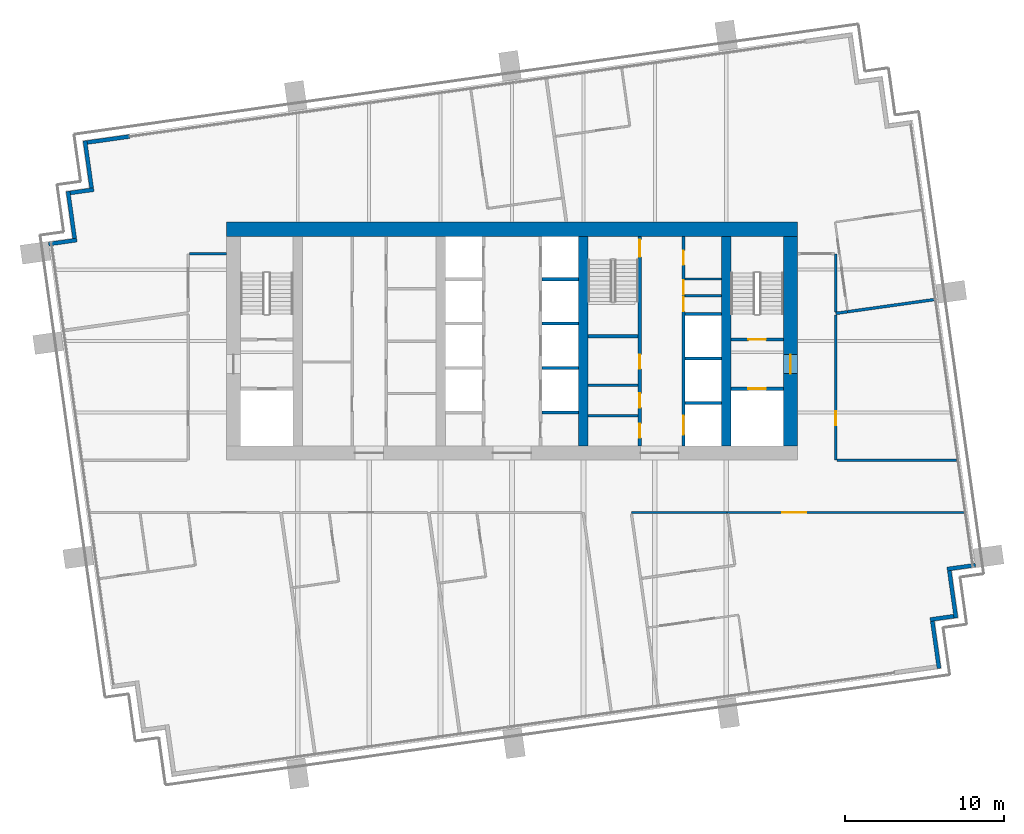
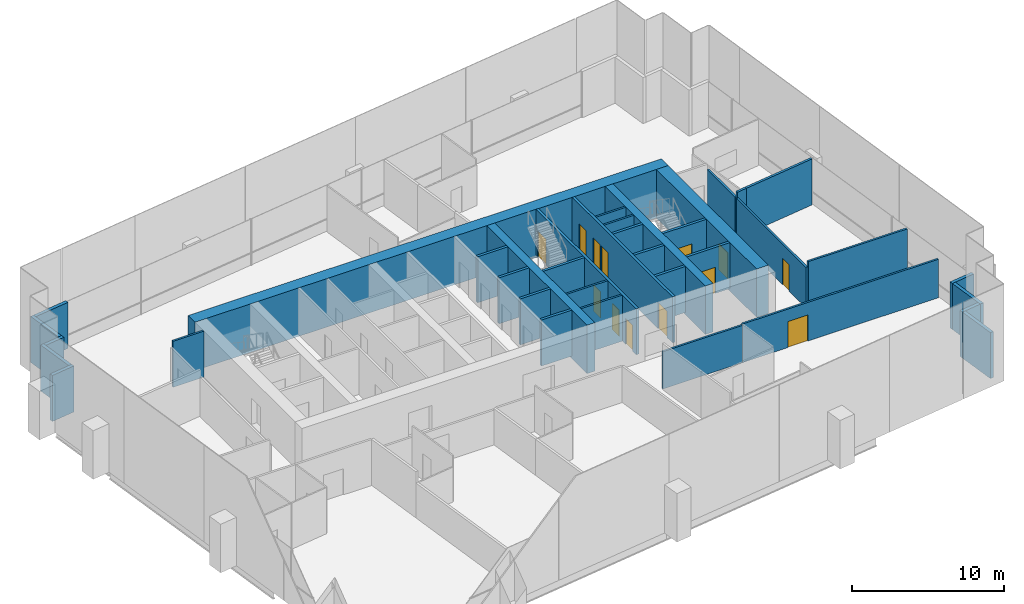
# One storey, part 11 of 17: 37 walls, 13 doors, 13 openings.
"""IFC4 building model written with IfcOpenShell, lengths in metres."""

from ifc_helpers import new_model, si_unit, direction, frame, frame_2d, origin, place, context, subcontext, project, spatial, rectangle, extrude, material, layer, layer_set, type_object, element, fill, save


model = new_model("IFC4")

# Units and contexts
model_context = context("Model", 3, precision=1e-05, world=origin(), true_north=direction((0.0, 1.0)))
body_context = subcontext(model_context, "Body", "Model", "MODEL_VIEW")
ifc_project = project(units=[si_unit("LENGTHUNIT", "METRE"), si_unit("AREAUNIT", "SQUARE_METRE"), si_unit("VOLUMEUNIT", "CUBIC_METRE"), si_unit("PLANEANGLEUNIT", "RADIAN"), si_unit("MASSUNIT", "GRAM", prefix="KILO")], contexts=[model_context])

# Site, building, storey
site_placement = place(None, origin())
site = spatial("IfcSite", under=ifc_project, at=site_placement, CompositionType="ELEMENT")
building_placement = place(site_placement, origin())
building = spatial("IfcBuilding", under=site, at=building_placement, Name="Rattan Terrace Tower", CompositionType="ELEMENT")
storey_placement = place(building_placement, frame((0.0, 0.0, 191.89990234375)))
storey = spatial("IfcBuildingStorey", under=building, at=storey_placement, Name="L44", CompositionType="ELEMENT", Elevation=191.89990234375)

# Walls
ifc_material_1 = material(Name="Gypsum board partition")
ifc_layer_1 = layer(ifc_material_1, 0.14990234375)
ifc_layer_set_1 = layer_set([ifc_layer_1], Name="Core partition 150")
wall_type_1 = type_object("IfcWallType", Name="Core partition 150", PredefinedType="PARTITIONING", material=ifc_layer_set_1)
for number, where, z_axis, x_axis, name in (
    (1, (4.800048828125, -4.696044921875, 0.0), (0.0, 0.0, 1.0), (1.0, 0.0, 0.0), "Toilet wall"),
    (2, (4.800048828125, -2.7919921875, 0.0), (0.0, 0.0, 1.0), (1.0, 0.0, 0.0), "Toilet wall"),
):
    element("IfcWall", number, at=place(storey_placement, frame(where, z_axis=z_axis, x_axis=x_axis)), inside=storey, type_object=wall_type_1, Name=name, PredefinedType="PARTITIONING", context=body_context, shape_type="SweptSolid", body=[
        extrude(rectangle(XDim=3.14990234375, YDim=0.14990234375, at=frame_2d((1.574951171875, 0.0))), origin(), (0.0, 0.0, 1.0), 3.7001953125),
    ])
for number, where, z_axis, x_axis, name in (
    (3, (10.89990234375, 2.85595703125, 0.0), (0.0, 0.0, 1.0), (1.0, 0.0, 0.0), "Riser room wall"),
    (4, (10.89990234375, 3.912109375, 0.0), (0.0, 0.0, 1.0), (1.0, 0.0, 0.0), "Riser room wall"),
):
    element("IfcWall", number, at=place(storey_placement, frame(where, z_axis=z_axis, x_axis=x_axis)), inside=storey, type_object=wall_type_1, Name=name, PredefinedType="PARTITIONING", context=body_context, shape_type="SweptSolid", body=[
        extrude(rectangle(XDim=2.300048828125, YDim=0.14990234375, at=frame_2d((1.14990234375, 0.0))), origin(), (0.0, 0.0, 1.0), 3.7001953125),
    ])

# Wall, opening, door
ifc_material_2 = material(Name="Gypsum board partition")
ifc_layer_2 = layer(ifc_material_2, 0.199951171875)
ifc_layer_set_2 = layer_set([ifc_layer_2], Name="Core partition 200")
wall_type_2 = type_object("IfcWallType", Name="Core partition 200", PredefinedType="PARTITIONING", material=ifc_layer_set_2)
wall_1_placement = place(storey_placement, frame((13.800048828125, -3.0, 0.0), z_axis=(0.0, 0.0, 1.0), x_axis=(1.0, 0.0, 0.0)))
wall_1 = element("IfcWall", 5, at=wall_1_placement, inside=storey, type_object=wall_type_2, Name="Fire-fighting lobby wall", PredefinedType="PARTITIONING", context=body_context, shape_type="SweptSolid", body=[
    extrude(rectangle(XDim=3.300048828125, YDim=0.199951171875, at=frame_2d((1.64990234375, 0.0))), origin(), (0.0, 0.0, 1.0), 3.7001953125),
])
opening_1_placement = place(wall_1_placement, frame((1.10009765625, 0.0, 0.0)))
opening_1 = element("IfcOpeningElement", 6, at=opening_1_placement, cuts=wall_1, Name="Opening L44-LD-FF2", PredefinedType="OPENING", context=body_context, shape_type="SweptSolid", body=[
    extrude(rectangle(XDim=1.10009765625, YDim=2.10009765625, at=frame_2d((0.550048828125, 1.050048828125))), frame((0.0, 0.110595703125, 0.0), z_axis=(0.0, -1.0, 0.0), x_axis=(1.0, 0.0, 0.0)), (0.0, 0.0, 1.0), 0.220947265625),
])
ifc_material_3 = material(Name="Brushed stainless landing door panel")
door_type_1 = type_object("IfcDoorType", Name="Core lift landing door 1100", OperationType="DOUBLE_DOOR_SLIDING", PredefinedType="DOOR", material=ifc_material_3)
door_1_placement = place(opening_1_placement, origin())
door_1 = element("IfcDoor", 7, at=door_1_placement, inside=storey, type_object=door_type_1, Name="Door L44-LD-FF2", OperationType="DOUBLE_DOOR_SLIDING", OverallHeight=2.10009765625, OverallWidth=1.10009765625, PredefinedType="DOOR", context=body_context, shape_type="SweptSolid", body=[
    extrude(rectangle(XDim=1.10009765625, YDim=2.10009765625, at=frame_2d((0.550048828125, 1.050048828125))), frame((0.0, 0.02490234375, 0.0), z_axis=(0.0, -1.0, 0.0), x_axis=(1.0, 0.0, 0.0)), (0.0, 0.0, 1.0), 0.050048828125),
])
fill(opening_1, door_1)

wall_2_placement = place(storey_placement, frame((13.800048828125, 0.10009765625, 0.0), z_axis=(0.0, 0.0, 1.0), x_axis=(1.0, 0.0, 0.0)))
wall_2 = element("IfcWall", 8, at=wall_2_placement, inside=storey, type_object=wall_type_2, Name="Stair enclosure wall", PredefinedType="PARTITIONING", context=body_context, shape_type="SweptSolid", body=[
    extrude(rectangle(XDim=3.300048828125, YDim=0.199951171875, at=frame_2d((1.64990234375, 0.0))), origin(), (0.0, 0.0, 1.0), 3.7001953125),
])
opening_2_placement = place(wall_2_placement, frame((1.10009765625, 0.0, 0.0)))
opening_2 = element("IfcOpeningElement", 9, at=opening_2_placement, cuts=wall_2, Name="Opening L44-D004", PredefinedType="OPENING", context=body_context, shape_type="SweptSolid", body=[
    extrude(rectangle(XDim=1.10009765625, YDim=2.10009765625, at=frame_2d((0.550048828125, 1.050048828125))), frame((0.0, 0.110595703125, 0.0), z_axis=(0.0, -1.0, 0.0), x_axis=(1.0, 0.0, 0.0)), (0.0, 0.0, 1.0), 0.220947265625),
])
ifc_material_4 = material(Name="Hollow-metal fire door leaf")
door_type_2 = type_object("IfcDoorType", Name="Core stair door 1100", OperationType="NOTDEFINED", PredefinedType="DOOR", material=ifc_material_4)
door_2_placement = place(opening_2_placement, origin())
door_2 = element("IfcDoor", 10, at=door_2_placement, inside=storey, type_object=door_type_2, Name="Door L44-D004", OperationType="SINGLE_SWING_RIGHT", OverallHeight=2.10009765625, OverallWidth=1.10009765625, PredefinedType="DOOR", context=body_context, shape_type="SweptSolid", body=[
    extrude(rectangle(XDim=1.10009765625, YDim=2.10009765625, at=frame_2d((0.550048828125, 1.050048828125))), frame((0.0, 0.02490234375, 0.0), z_axis=(0.0, -1.0, 0.0), x_axis=(1.0, 0.0, 0.0)), (0.0, 0.0, 1.0), 0.050048828125),
])
fill(opening_2, door_2)

# Wall, openings, doors
wall_3_placement = place(storey_placement, frame((8.050048828125, -6.60009765625, 0.0), z_axis=(0.0, 0.0, 1.0), x_axis=(0.0, 1.0, 0.0)))
wall_3 = element("IfcWall", 11, at=wall_3_placement, inside=storey, type_object=wall_type_2, Name="Lobby wall west", PredefinedType="PARTITIONING", context=body_context, shape_type="SweptSolid", body=[
    extrude(rectangle(XDim=13.2001953125, YDim=0.199951171875, at=frame_2d((6.60009765625, 0.0))), origin(), (0.0, 0.0, 1.0), 3.7001953125),
])
opening_3_placement = place(wall_3_placement, frame((0.501953125, 0.0, 0.0)))
opening_3 = element("IfcOpeningElement", 12, at=opening_3_placement, cuts=wall_3, Name="Opening L44-D015", PredefinedType="OPENING", context=body_context, shape_type="SweptSolid", body=[
    extrude(rectangle(XDim=0.89990234375, YDim=2.10009765625, at=frame_2d((0.449951171875, 1.050048828125))), frame((0.0, 0.110595703125, 0.0), z_axis=(0.0, -1.0, 0.0), x_axis=(1.0, 0.0, 0.0)), (0.0, 0.0, 1.0), 0.220947265625),
])
opening_4_placement = place(wall_3_placement, frame((2.406005859375, 0.0, 0.0)))
opening_4 = element("IfcOpeningElement", 13, at=opening_4_placement, cuts=wall_3, Name="Opening L44-D016", PredefinedType="OPENING", context=body_context, shape_type="SweptSolid", body=[
    extrude(rectangle(XDim=0.89990234375, YDim=2.10009765625, at=frame_2d((0.449951171875, 1.050048828125))), frame((0.0, 0.110595703125, 0.0), z_axis=(0.0, -1.0, 0.0), x_axis=(1.0, 0.0, 0.0)), (0.0, 0.0, 1.0), 0.220947265625),
])
opening_5_placement = place(wall_3_placement, frame((4.85400390625, 0.0, 0.0)))
opening_5 = element("IfcOpeningElement", 14, at=opening_5_placement, cuts=wall_3, Name="Opening L44-D017", PredefinedType="OPENING", context=body_context, shape_type="SweptSolid", body=[
    extrude(rectangle(XDim=0.89990234375, YDim=2.10009765625, at=frame_2d((0.449951171875, 1.050048828125))), frame((0.0, 0.110595703125, 0.0), z_axis=(0.0, -1.0, 0.0), x_axis=(1.0, 0.0, 0.0)), (0.0, 0.0, 1.0), 0.220947265625),
])
opening_6_placement = place(wall_3_placement, frame((11.89990234375, 0.0, 0.0)))
opening_6 = element("IfcOpeningElement", 15, at=opening_6_placement, cuts=wall_3, Name="Opening L44-D018", PredefinedType="OPENING", context=body_context, shape_type="SweptSolid", body=[
    extrude(rectangle(XDim=1.10009765625, YDim=2.10009765625, at=frame_2d((0.550048828125, 1.050048828125))), frame((0.0, 0.110595703125, 0.0), z_axis=(0.0, -1.0, 0.0), x_axis=(1.0, 0.0, 0.0)), (0.0, 0.0, 1.0), 0.220947265625),
])
door_3_placement = place(opening_6_placement, origin())
door_3 = element("IfcDoor", 16, at=door_3_placement, inside=storey, type_object=door_type_2, Name="Door L44-D018", OperationType="SINGLE_SWING_LEFT", OverallHeight=2.10009765625, OverallWidth=1.10009765625, PredefinedType="DOOR", context=body_context, shape_type="SweptSolid", body=[
    extrude(rectangle(XDim=1.10009765625, YDim=2.10009765625, at=frame_2d((0.550048828125, 1.050048828125))), frame((0.0, 0.02490234375, 0.0), z_axis=(0.0, -1.0, 0.0), x_axis=(1.0, 0.0, 0.0)), (0.0, 0.0, 1.0), 0.050048828125),
])
fill(opening_6, door_3)
ifc_material_5 = material(Name="Hollow-metal fire door leaf")
door_type_3 = type_object("IfcDoorType", Name="Core toilet door 900", OperationType="NOTDEFINED", PredefinedType="DOOR", material=ifc_material_5)
door_4_placement = place(opening_3_placement, origin())
door_4 = element("IfcDoor", 17, at=door_4_placement, inside=storey, type_object=door_type_3, Name="Door L44-D015", OperationType="SINGLE_SWING_RIGHT", OverallHeight=2.10009765625, OverallWidth=0.89990234375, PredefinedType="DOOR", context=body_context, shape_type="SweptSolid", body=[
    extrude(rectangle(XDim=0.89990234375, YDim=2.10009765625, at=frame_2d((0.449951171875, 1.050048828125))), frame((0.0, 0.02490234375, 0.0), z_axis=(0.0, -1.0, 0.0), x_axis=(1.0, 0.0, 0.0)), (0.0, 0.0, 1.0), 0.050048828125),
])
fill(opening_3, door_4)
door_5_placement = place(opening_4_placement, origin())
door_5 = element("IfcDoor", 18, at=door_5_placement, inside=storey, type_object=door_type_3, Name="Door L44-D016", OperationType="SINGLE_SWING_LEFT", OverallHeight=2.10009765625, OverallWidth=0.89990234375, PredefinedType="DOOR", context=body_context, shape_type="SweptSolid", body=[
    extrude(rectangle(XDim=0.89990234375, YDim=2.10009765625, at=frame_2d((0.449951171875, 1.050048828125))), frame((0.0, 0.02490234375, 0.0), z_axis=(0.0, -1.0, 0.0), x_axis=(1.0, 0.0, 0.0)), (0.0, 0.0, 1.0), 0.050048828125),
])
fill(opening_4, door_5)
door_6_placement = place(opening_5_placement, origin())
door_6 = element("IfcDoor", 19, at=door_6_placement, inside=storey, type_object=door_type_3, Name="Door L44-D017", OperationType="SINGLE_SWING_RIGHT", OverallHeight=2.10009765625, OverallWidth=0.89990234375, PredefinedType="DOOR", context=body_context, shape_type="SweptSolid", body=[
    extrude(rectangle(XDim=0.89990234375, YDim=2.10009765625, at=frame_2d((0.449951171875, 1.050048828125))), frame((0.0, 0.02490234375, 0.0), z_axis=(0.0, -1.0, 0.0), x_axis=(1.0, 0.0, 0.0)), (0.0, 0.0, 1.0), 0.050048828125),
])
fill(opening_5, door_6)

# Walls
wall_4_placement = place(storey_placement, frame((4.800048828125, 0.300048828125, 0.0), z_axis=(0.0, 0.0, 1.0), x_axis=(1.0, 0.0, 0.0)))
element("IfcWall", 20, at=wall_4_placement, inside=storey, type_object=wall_type_2, Name="Stair enclosure wall", PredefinedType="PARTITIONING", context=body_context, shape_type="SweptSolid", body=[
    extrude(rectangle(XDim=3.14990234375, YDim=0.199951171875, at=frame_2d((1.574951171875, 0.0))), origin(), (0.0, 0.0, 1.0), 3.7001953125),
])
ifc_material_6 = material(Name="Concrete C60/75", Category="concrete")
ifc_layer_3 = layer(ifc_material_6, 0.89990234375)
ifc_layer_set_3 = layer_set([ifc_layer_3], Name="Core ring wall 900 C60/75")
wall_type_3 = type_object("IfcWallType", Name="Core ring wall 900 C60/75", PredefinedType="SHEAR", material=ifc_layer_set_3)
wall_5_placement = place(storey_placement, frame((-18.0, 7.050048828125, -0.199951171875), z_axis=(0.0, 0.0, 1.0), x_axis=(1.0, 0.0, 0.0)))
element("IfcWall", 21, at=wall_5_placement, inside=storey, type_object=wall_type_3, Name="Rear core wall north", PredefinedType="SHEAR", context=body_context, shape_type="SweptSolid", body=[
    extrude(rectangle(XDim=36.0, YDim=0.89990234375, at=frame_2d((18.0, 0.0))), origin(), (0.0, 0.0, 1.0), 3.900146484375),
])

# Wall, opening, door
wall_6_placement = place(storey_placement, frame((17.550048828125, -6.60009765625, -0.199951171875), z_axis=(0.0, 0.0, 1.0), x_axis=(0.0, 1.0, 0.0)))
wall_6 = element("IfcWall", 22, at=wall_6_placement, inside=storey, type_object=wall_type_3, Name="Rear core wall east", PredefinedType="SHEAR", context=body_context, shape_type="SweptSolid", body=[
    extrude(rectangle(XDim=13.2001953125, YDim=0.89990234375, at=frame_2d((6.60009765625, 0.0))), origin(), (0.0, 0.0, 1.0), 3.900146484375),
])
opening_7_placement = place(wall_6_placement, frame((4.550048828125, 0.0, 0.199951171875)))
opening_7 = element("IfcOpeningElement", 23, at=opening_7_placement, cuts=wall_6, Name="Opening L44-D003", PredefinedType="OPENING", context=body_context, shape_type="SweptSolid", body=[
    extrude(rectangle(XDim=1.199951171875, YDim=2.10009765625, at=frame_2d((0.60009765625, 1.050048828125))), frame((0.0, 0.46044921875, 0.0), z_axis=(0.0, -1.0, 0.0), x_axis=(1.0, 0.0, 0.0)), (0.0, 0.0, 1.0), 0.9208984375),
])
ifc_material_7 = material(Name="Hollow-metal fire door leaf")
door_type_4 = type_object("IfcDoorType", Name="Core fire-fighting lobby door 1200", OperationType="NOTDEFINED", PredefinedType="DOOR", material=ifc_material_7)
door_7_placement = place(opening_7_placement, origin())
door_7 = element("IfcDoor", 24, at=door_7_placement, inside=storey, type_object=door_type_4, Name="Door L44-D003", OperationType="SINGLE_SWING_LEFT", OverallHeight=2.10009765625, OverallWidth=1.199951171875, PredefinedType="DOOR", context=body_context, shape_type="SweptSolid", body=[
    extrude(rectangle(XDim=1.199951171875, YDim=2.10009765625, at=frame_2d((0.60009765625, 1.050048828125))), frame((0.0, 0.02490234375, 0.0), z_axis=(0.0, -1.0, 0.0), x_axis=(1.0, 0.0, 0.0)), (0.0, 0.0, 1.0), 0.050048828125),
])
fill(opening_7, door_7)

# Walls
ifc_material_8 = material(Name="Concrete C60/75", Category="concrete")
ifc_layer_4 = layer(ifc_material_8, 0.60009765625)
ifc_layer_set_4 = layer_set([ifc_layer_4], Name="Core spine wall 600 C60/75")
wall_type_4 = type_object("IfcWallType", Name="Core spine wall 600 C60/75", PredefinedType="SHEAR", material=ifc_layer_set_4)
for number, where, z_axis, x_axis, name in (
    (25, (4.5, -6.60009765625, -0.199951171875), (0.0, 0.0, 1.0), (0.0, 1.0, 0.0), "Core spine wall 3"),
    (26, (13.5, -6.60009765625, -0.199951171875), (0.0, 0.0, 1.0), (0.0, 1.0, 0.0), "Core spine wall 4"),
):
    element("IfcWall", number, at=place(storey_placement, frame(where, z_axis=z_axis, x_axis=x_axis)), inside=storey, type_object=wall_type_4, Name=name, PredefinedType="SHEAR", context=body_context, shape_type="SweptSolid", body=[
        extrude(rectangle(XDim=13.2001953125, YDim=0.60009765625, at=frame_2d((6.60009765625, 0.0))), origin(), (0.0, 0.0, 1.0), 3.900146484375),
    ])
ifc_material_9 = material(Name="Insulated aluminium-clad stud wall", Category="aluminium")
ifc_layer_5 = layer(ifc_material_9, 0.25)
ifc_layer_set_5 = layer_set([ifc_layer_5], Name="Facade Riser Wall 250")
wall_type_5 = type_object("IfcWallType", Name="Facade Riser Wall 250", PredefinedType="SOLIDWALL", material=ifc_layer_set_5)
wall_7_placement = place(storey_placement, frame((26.9052734375, -20.6220703125, 0.0), z_axis=(0.0, 0.0, 1.0), x_axis=(-0.139313431826, 0.990248336385, 0.0)))
element("IfcWall", 27, at=wall_7_placement, inside=storey, type_object=wall_type_5, Name="Riser wall L44-2", PredefinedType="SOLIDWALL", context=body_context, shape_type="SweptSolid", body=[
    extrude(rectangle(XDim=3.000244140625, YDim=0.25, at=frame_2d((1.5, 0.0))), origin(), (0.0, 0.0, 1.0), 3.7001953125),
])
wall_8_placement = place(storey_placement, frame((26.34619140625, -17.54443359375, 0.0), z_axis=(0.0, 0.0, 1.0), x_axis=(0.990368090482, 0.13845954411, 0.0)))
element("IfcWall", 28, at=wall_8_placement, inside=storey, type_object=wall_type_5, Name="Riser wall L44-3", PredefinedType="SOLIDWALL", context=body_context, shape_type="SweptSolid", body=[
    extrude(rectangle(XDim=1.50048828125, YDim=0.25, at=frame_2d((0.750244140625, 0.0))), origin(), (0.0, 0.0, 1.0), 3.7001953125),
])
wall_9_placement = place(storey_placement, frame((27.973388671875, -17.443115234375, 0.0), z_axis=(0.0, 0.0, 1.0), x_axis=(-0.139313431826, 0.990248336385, 0.0)))
element("IfcWall", 29, at=wall_9_placement, inside=storey, type_object=wall_type_5, Name="Riser wall L44-4", PredefinedType="SOLIDWALL", context=body_context, shape_type="SweptSolid", body=[
    extrude(rectangle(XDim=3.000244140625, YDim=0.25, at=frame_2d((1.5, 0.0))), origin(), (0.0, 0.0, 1.0), 3.7001953125),
])
wall_10_placement = place(storey_placement, frame((27.414306640625, -14.36572265625, 0.0), z_axis=(0.0, 0.0, 1.0), x_axis=(0.990256286673, 0.139256908998, 0.0)))
element("IfcWall", 30, at=wall_10_placement, inside=storey, type_object=wall_type_5, Name="Riser wall L44-5", PredefinedType="SOLIDWALL", context=body_context, shape_type="SweptSolid", body=[
    extrude(rectangle(XDim=1.800537109375, YDim=0.25, at=frame_2d((0.900390625, 0.0))), origin(), (0.0, 0.0, 1.0), 3.7001953125),
])
wall_11_placement = place(storey_placement, frame((-24.08544921875, 12.892578125, 0.0), z_axis=(0.0, 0.0, 1.0), x_axis=(-0.990255800966, -0.139260362823, 0.0)))
element("IfcWall", 31, at=wall_11_placement, inside=storey, type_object=wall_type_5, Name="Riser wall L44-11", PredefinedType="SOLIDWALL", context=body_context, shape_type="SweptSolid", body=[
    extrude(rectangle(XDim=2.705078125, YDim=0.25, at=frame_2d((1.3525390625, 0.0))), origin(), (0.0, 0.0, 1.0), 3.7001953125),
])
wall_12_placement = place(storey_placement, frame((-26.9052734375, 12.6220703125, 0.0), z_axis=(0.0, 0.0, 1.0), x_axis=(0.139313431826, -0.990248336385, 0.0)))
element("IfcWall", 32, at=wall_12_placement, inside=storey, type_object=wall_type_5, Name="Riser wall L44-12", PredefinedType="SOLIDWALL", context=body_context, shape_type="SweptSolid", body=[
    extrude(rectangle(XDim=3.000244140625, YDim=0.25, at=frame_2d((1.5, 0.0))), origin(), (0.0, 0.0, 1.0), 3.7001953125),
])
wall_13_placement = place(storey_placement, frame((-26.34619140625, 9.54443359375, 0.0), z_axis=(0.0, 0.0, 1.0), x_axis=(-0.990368090482, -0.13845954411, 0.0)))
element("IfcWall", 33, at=wall_13_placement, inside=storey, type_object=wall_type_5, Name="Riser wall L44-13", PredefinedType="SOLIDWALL", context=body_context, shape_type="SweptSolid", body=[
    extrude(rectangle(XDim=1.50048828125, YDim=0.25, at=frame_2d((0.750244140625, 0.0))), origin(), (0.0, 0.0, 1.0), 3.7001953125),
])
wall_14_placement = place(storey_placement, frame((-27.973388671875, 9.443115234375, 0.0), z_axis=(0.0, 0.0, 1.0), x_axis=(0.139313431826, -0.990248336385, 0.0)))
element("IfcWall", 34, at=wall_14_placement, inside=storey, type_object=wall_type_5, Name="Riser wall L44-14", PredefinedType="SOLIDWALL", context=body_context, shape_type="SweptSolid", body=[
    extrude(rectangle(XDim=3.000244140625, YDim=0.25, at=frame_2d((1.5, 0.0))), origin(), (0.0, 0.0, 1.0), 3.7001953125),
])
wall_15_placement = place(storey_placement, frame((-27.414306640625, 6.36572265625, 0.0), z_axis=(0.0, 0.0, 1.0), x_axis=(-0.990256286673, -0.139256908998, 0.0)))
element("IfcWall", 35, at=wall_15_placement, inside=storey, type_object=wall_type_5, Name="Riser wall L44-15", PredefinedType="SOLIDWALL", context=body_context, shape_type="SweptSolid", body=[
    extrude(rectangle(XDim=1.800537109375, YDim=0.25, at=frame_2d((0.900390625, 0.0))), origin(), (0.0, 0.0, 1.0), 3.7001953125),
])
ifc_material_10 = material(Name="Double steel stud acoustic partition, gypsum board, mineral wool, fire rated", Category="steel")
ifc_layer_6 = layer(ifc_material_10, 0.179931640625)
ifc_layer_set_6 = layer_set([ifc_layer_6], Name="Floors Acoustic Party Wall 180")
wall_type_6 = type_object("IfcWallType", Name="Floors Acoustic Party Wall 180", PredefinedType="PARTITIONING", material=ifc_layer_set_6)
wall_16_placement = place(storey_placement, frame((20.39892578125, 1.7451171875, 0.0), z_axis=(0.0, 0.0, 1.0), x_axis=(0.990315465901, 0.138835434947, 0.0)))
element("IfcWall", 36, at=wall_16_placement, inside=storey, type_object=wall_type_6, Name="pt-L44-044", PredefinedType="PARTITIONING", context=body_context, shape_type="SweptSolid", body=[
    extrude(rectangle(XDim=0.740234375, YDim=0.179931640625, at=frame_2d((0.3701171875, 0.0))), origin(), (0.0, 0.0, 1.0), 3.7001953125),
])
wall_17_placement = place(storey_placement, frame((21.132080078125, 1.847900390625, 0.0), z_axis=(0.0, 0.0, 1.0), x_axis=(0.990277893792, 0.139103174181, 0.0)))
element("IfcWall", 37, at=wall_17_placement, inside=storey, type_object=wall_type_6, Name="pt-L44-045", PredefinedType="PARTITIONING", context=body_context, shape_type="SweptSolid", body=[
    extrude(rectangle(XDim=5.50048828125, YDim=0.179931640625, at=frame_2d((2.750244140625, 0.0))), origin(), (0.0, 0.0, 1.0), 3.7001953125),
])

# Wall, opening, door
ifc_material_11 = material(Name="Gypsum board partition on steel studs, fire rated", Category="steel")
ifc_layer_7 = layer(ifc_material_11, 0.14990234375)
ifc_layer_set_7 = layer_set([ifc_layer_7], Name="Floors Tenancy Wall 150")
wall_type_7 = type_object("IfcWallType", Name="Floors Tenancy Wall 150", PredefinedType="PARTITIONING", material=ifc_layer_set_7)
wall_18_placement = place(storey_placement, frame((28.462890625, -10.800048828125, 0.0), z_axis=(0.0, 0.0, 1.0), x_axis=(-1.0, 0.0, 0.0)))
wall_18 = element("IfcWall", 38, at=wall_18_placement, inside=storey, type_object=wall_type_7, Name="pt-L44-010", PredefinedType="PARTITIONING", context=body_context, shape_type="SweptSolid", body=[
    extrude(rectangle(XDim=14.908935546875, YDim=0.14990234375, at=frame_2d((7.45458984375, 0.0))), origin(), (0.0, 0.0, 1.0), 3.10009765625),
])
opening_8_placement = place(wall_18_placement, frame((9.931884765625, 0.0, 0.0)))
opening_8 = element("IfcOpeningElement", 39, at=opening_8_placement, cuts=wall_18, Name="Opening L44-D107", PredefinedType="OPENING", context=body_context, shape_type="SweptSolid", body=[
    extrude(rectangle(XDim=1.5, YDim=2.10009765625, at=frame_2d((0.75, 1.050048828125))), frame((0.0, 0.08544921875, 0.0), z_axis=(0.0, -1.0, 0.0), x_axis=(1.0, 0.0, 0.0)), (0.0, 0.0, 1.0), 0.1708984375),
])
ifc_material_12 = material(Name="Steel fire door set", Category="steel")
door_type_5 = type_object("IfcDoorType", Name="Floors Unit Door Pair FD30S 1500x2100", OperationType="NOTDEFINED", PredefinedType="DOOR", material=ifc_material_12)
door_8_placement = place(opening_8_placement, origin())
door_8 = element("IfcDoor", 40, at=door_8_placement, inside=storey, type_object=door_type_5, Name="d-L44-107", OperationType="DOUBLE_DOOR_SINGLE_SWING", OverallHeight=2.10009765625, OverallWidth=1.5, PredefinedType="DOOR", context=body_context, shape_type="SweptSolid", body=[
    extrude(rectangle(XDim=1.5, YDim=2.10009765625, at=frame_2d((0.75, 1.050048828125))), frame((0.0, 0.02490234375, 0.0), z_axis=(0.0, -1.0, 0.0), x_axis=(1.0, 0.0, 0.0)), (0.0, 0.0, 1.0), 0.050048828125),
])
fill(opening_8, door_8)

# Walls
wall_19_placement = place(storey_placement, frame((13.553955078125, -10.800048828125, 0.0), z_axis=(0.0, 0.0, 1.0), x_axis=(-1.0, 0.0, 0.0)))
element("IfcWall", 41, at=wall_19_placement, inside=storey, type_object=wall_type_7, Name="pt-L44-013", PredefinedType="PARTITIONING", context=body_context, shape_type="SweptSolid", body=[
    extrude(rectangle(XDim=6.0390625, YDim=0.14990234375, at=frame_2d((3.01953125, 0.0))), origin(), (0.0, 0.0, 1.0), 3.0),
])
wall_20_placement = place(storey_placement, frame((-20.324951171875, 5.5009765625, 0.0), z_axis=(0.0, 0.0, 1.0), x_axis=(1.0, 0.0, 0.0)))
element("IfcWall", 42, at=wall_20_placement, inside=storey, type_object=wall_type_7, Name="pt-L44-017", PredefinedType="PARTITIONING", context=body_context, shape_type="SweptSolid", body=[
    extrude(rectangle(XDim=2.324951171875, YDim=0.14990234375, at=frame_2d((1.16259765625, 0.0))), origin(), (0.0, 0.0, 1.0), 3.7001953125),
])

# Wall, opening, door
wall_21_placement = place(storey_placement, frame((20.39990234375, 1.656005859375, 0.0), z_axis=(0.0, 0.0, 1.0), x_axis=(0.0, -1.0, 0.0)))
wall_21 = element("IfcWall", 43, at=wall_21_placement, inside=storey, type_object=wall_type_7, Name="pt-L44-018", PredefinedType="PARTITIONING", context=body_context, shape_type="SweptSolid", body=[
    extrude(rectangle(XDim=9.156005859375, YDim=0.14990234375, at=frame_2d((4.578125, 0.0))), origin(), (0.0, 0.0, 1.0), 3.25),
])
opening_9_placement = place(wall_21_placement, frame((6.06689453125, 0.0, 0.0)))
opening_9 = element("IfcOpeningElement", 44, at=opening_9_placement, cuts=wall_21, Name="Opening L44-D113", PredefinedType="OPENING", context=body_context, shape_type="SweptSolid", body=[
    extrude(rectangle(XDim=0.89990234375, YDim=2.10009765625, at=frame_2d((0.449951171875, 1.050048828125))), frame((0.0, 0.08544921875, 0.0), z_axis=(0.0, -1.0, 0.0), x_axis=(1.0, 0.0, 0.0)), (0.0, 0.0, 1.0), 0.1708984375),
])
ifc_material_13 = material(Name="Steel fire door set", Category="steel")
door_type_6 = type_object("IfcDoorType", Name="Floors Fire Door FD30S 900x2100", OperationType="NOTDEFINED", PredefinedType="DOOR", material=ifc_material_13)
door_9_placement = place(opening_9_placement, origin())
door_9 = element("IfcDoor", 45, at=door_9_placement, inside=storey, type_object=door_type_6, Name="d-L44-113", OperationType="SINGLE_SWING_RIGHT", OverallHeight=2.10009765625, OverallWidth=0.89990234375, PredefinedType="DOOR", context=body_context, shape_type="SweptSolid", body=[
    extrude(rectangle(XDim=0.89990234375, YDim=2.10009765625, at=frame_2d((0.449951171875, 1.050048828125))), frame((0.0, 0.02490234375, 0.0), z_axis=(0.0, -1.0, 0.0), x_axis=(1.0, 0.0, 0.0)), (0.0, 0.0, 1.0), 0.050048828125),
])
fill(opening_9, door_9)

# Walls
wall_22_placement = place(storey_placement, frame((20.47509765625, -7.5, 0.0), z_axis=(0.0, 0.0, 1.0), x_axis=(1.0, 0.0, 0.0)))
element("IfcWall", 46, at=wall_22_placement, inside=storey, type_object=wall_type_7, Name="pt-L44-019", PredefinedType="PARTITIONING", context=body_context, shape_type="SweptSolid", body=[
    extrude(rectangle(XDim=7.52392578125, YDim=0.14990234375, at=frame_2d((3.761962890625, 0.0))), origin(), (0.0, 0.0, 1.0), 3.7001953125),
])
wall_23_placement = place(storey_placement, frame((20.39990234375, 5.5, 0.0), z_axis=(0.0, 0.0, 1.0), x_axis=(0.0, -1.0, 0.0)))
element("IfcWall", 47, at=wall_23_placement, inside=storey, type_object=wall_type_7, Name="pt-L44-021", PredefinedType="PARTITIONING", context=body_context, shape_type="SweptSolid", body=[
    extrude(rectangle(XDim=3.654052734375, YDim=0.14990234375, at=frame_2d((1.8271484375, 0.0))), origin(), (0.0, 0.0, 1.0), 3.25),
])
ifc_material_14 = material(Name="Gypsum shaft wall system")
ifc_layer_8 = layer(ifc_material_14, 0.199951171875)
ifc_layer_set_8 = layer_set([ifc_layer_8], Name="Lift shaft wall 200")
wall_type_8 = type_object("IfcWallType", Name="Lift shaft wall 200", PredefinedType="PARTITIONING", material=ifc_layer_set_8)
for number, where, z_axis, x_axis, name in (
    (48, (1.89990234375, -1.699951171875, 0.0), (0.0, 0.0, 1.0), (1.0, 0.0, 0.0), "Lift shaft wall"),
    (49, (1.89990234375, 1.10009765625, 0.0), (0.0, 0.0, 1.0), (1.0, 0.0, 0.0), "Lift shaft wall"),
    (50, (1.89990234375, 3.89990234375, 0.0), (0.0, 0.0, 1.0), (1.0, 0.0, 0.0), "Lift shaft wall"),
    (51, (1.89990234375, -4.5, 0.0), (0.0, 0.0, 1.0), (1.0, 0.0, 0.0), "Lift shaft wall"),
):
    element("IfcWall", number, at=place(storey_placement, frame(where, z_axis=z_axis, x_axis=x_axis)), inside=storey, type_object=wall_type_8, Name=name, PredefinedType="PARTITIONING", context=body_context, shape_type="SweptSolid", body=[
        extrude(rectangle(XDim=2.300048828125, YDim=0.199951171875, at=frame_2d((1.14990234375, 0.0))), origin(), (0.0, 0.0, 1.0), 3.7001953125),
    ])

# Wall, openings, doors
wall_24_placement = place(storey_placement, frame((10.800048828125, -6.60009765625, 0.0), z_axis=(0.0, 0.0, 1.0), x_axis=(0.0, 1.0, 0.0)))
wall_24 = element("IfcWall", 52, at=wall_24_placement, inside=storey, type_object=wall_type_8, Name="Lift shaft front wall", PredefinedType="PARTITIONING", context=body_context, shape_type="SweptSolid", body=[
    extrude(rectangle(XDim=13.2001953125, YDim=0.199951171875, at=frame_2d((6.60009765625, 0.0))), origin(), (0.0, 0.0, 1.0), 3.7001953125),
])
opening_10_placement = place(wall_24_placement, frame((0.699951171875, 0.0, 0.0)))
opening_10 = element("IfcOpeningElement", 53, at=opening_10_placement, cuts=wall_24, Name="Opening L44-LD-SV1", PredefinedType="OPENING", context=body_context, shape_type="SweptSolid", body=[
    extrude(rectangle(XDim=1.199951171875, YDim=2.10009765625, at=frame_2d((0.60009765625, 1.050048828125))), frame((0.0, 0.110595703125, 0.0), z_axis=(0.0, -1.0, 0.0), x_axis=(1.0, 0.0, 0.0)), (0.0, 0.0, 1.0), 0.220947265625),
])
opening_11_placement = place(wall_24_placement, frame((8.47802734375, 0.0, 0.0)))
opening_11 = element("IfcOpeningElement", 54, at=opening_11_placement, cuts=wall_24, Name="Opening L44-D020", PredefinedType="OPENING", context=body_context, shape_type="SweptSolid", body=[
    extrude(rectangle(XDim=0.89990234375, YDim=2.10009765625, at=frame_2d((0.449951171875, 1.050048828125))), frame((0.0, 0.110595703125, 0.0), z_axis=(0.0, -1.0, 0.0), x_axis=(1.0, 0.0, 0.0)), (0.0, 0.0, 1.0), 0.220947265625),
])
opening_12_placement = place(wall_24_placement, frame((9.533935546875, 0.0, 0.0)))
opening_12 = element("IfcOpeningElement", 55, at=opening_12_placement, cuts=wall_24, Name="Opening L44-D021", PredefinedType="OPENING", context=body_context, shape_type="SweptSolid", body=[
    extrude(rectangle(XDim=0.89990234375, YDim=2.10009765625, at=frame_2d((0.449951171875, 1.050048828125))), frame((0.0, 0.110595703125, 0.0), z_axis=(0.0, -1.0, 0.0), x_axis=(1.0, 0.0, 0.0)), (0.0, 0.0, 1.0), 0.220947265625),
])
opening_13_placement = place(wall_24_placement, frame((11.406005859375, 0.0, 0.0)))
opening_13 = element("IfcOpeningElement", 56, at=opening_13_placement, cuts=wall_24, Name="Opening L44-D022", PredefinedType="OPENING", context=body_context, shape_type="SweptSolid", body=[
    extrude(rectangle(XDim=0.89990234375, YDim=2.10009765625, at=frame_2d((0.449951171875, 1.050048828125))), frame((0.0, 0.110595703125, 0.0), z_axis=(0.0, -1.0, 0.0), x_axis=(1.0, 0.0, 0.0)), (0.0, 0.0, 1.0), 0.220947265625),
])
ifc_material_15 = material(Name="Brushed stainless landing door panel")
door_type_7 = type_object("IfcDoorType", Name="Core lift landing door 1200", OperationType="DOUBLE_DOOR_SLIDING", PredefinedType="DOOR", material=ifc_material_15)
door_10_placement = place(opening_10_placement, origin())
door_10 = element("IfcDoor", 57, at=door_10_placement, inside=storey, type_object=door_type_7, Name="Door L44-LD-SV1", OperationType="DOUBLE_DOOR_SLIDING", OverallHeight=2.10009765625, OverallWidth=1.199951171875, PredefinedType="DOOR", context=body_context, shape_type="SweptSolid", body=[
    extrude(rectangle(XDim=1.199951171875, YDim=2.10009765625, at=frame_2d((0.60009765625, 1.050048828125))), frame((0.0, 0.02490234375, 0.0), z_axis=(0.0, -1.0, 0.0), x_axis=(1.0, 0.0, 0.0)), (0.0, 0.0, 1.0), 0.050048828125),
])
fill(opening_10, door_10)
ifc_material_16 = material(Name="Hollow-metal fire door leaf")
door_type_8 = type_object("IfcDoorType", Name="Core riser door 900", OperationType="NOTDEFINED", PredefinedType="DOOR", material=ifc_material_16)
door_11_placement = place(opening_11_placement, origin())
door_11 = element("IfcDoor", 58, at=door_11_placement, inside=storey, type_object=door_type_8, Name="Door L44-D020", OperationType="SINGLE_SWING_RIGHT", OverallHeight=2.10009765625, OverallWidth=0.89990234375, PredefinedType="DOOR", context=body_context, shape_type="SweptSolid", body=[
    extrude(rectangle(XDim=0.89990234375, YDim=2.10009765625, at=frame_2d((0.449951171875, 1.050048828125))), frame((0.0, 0.02490234375, 0.0), z_axis=(0.0, -1.0, 0.0), x_axis=(1.0, 0.0, 0.0)), (0.0, 0.0, 1.0), 0.050048828125),
])
fill(opening_11, door_11)
door_12_placement = place(opening_12_placement, origin())
door_12 = element("IfcDoor", 59, at=door_12_placement, inside=storey, type_object=door_type_8, Name="Door L44-D021", OperationType="SINGLE_SWING_LEFT", OverallHeight=2.10009765625, OverallWidth=0.89990234375, PredefinedType="DOOR", context=body_context, shape_type="SweptSolid", body=[
    extrude(rectangle(XDim=0.89990234375, YDim=2.10009765625, at=frame_2d((0.449951171875, 1.050048828125))), frame((0.0, 0.02490234375, 0.0), z_axis=(0.0, -1.0, 0.0), x_axis=(1.0, 0.0, 0.0)), (0.0, 0.0, 1.0), 0.050048828125),
])
fill(opening_12, door_12)
ifc_material_17 = material(Name="Hollow-metal fire door leaf")
door_type_9 = type_object("IfcDoorType", Name="Core service room door 900", OperationType="NOTDEFINED", PredefinedType="DOOR", material=ifc_material_17)
door_13_placement = place(opening_13_placement, origin())
door_13 = element("IfcDoor", 60, at=door_13_placement, inside=storey, type_object=door_type_9, Name="Door L44-D022", OperationType="SINGLE_SWING_RIGHT", OverallHeight=2.10009765625, OverallWidth=0.89990234375, PredefinedType="DOOR", context=body_context, shape_type="SweptSolid", body=[
    extrude(rectangle(XDim=0.89990234375, YDim=2.10009765625, at=frame_2d((0.449951171875, 1.050048828125))), frame((0.0, 0.02490234375, 0.0), z_axis=(0.0, -1.0, 0.0), x_axis=(1.0, 0.0, 0.0)), (0.0, 0.0, 1.0), 0.050048828125),
])
fill(opening_13, door_13)

# Walls
for number, where, z_axis, x_axis, name in (
    (61, (10.89990234375, -3.89990234375, 0.0), (0.0, 0.0, 1.0), (1.0, 0.0, 0.0), "Lift shaft wall"),
    (62, (10.89990234375, -1.10009765625, 0.0), (0.0, 0.0, 1.0), (1.0, 0.0, 0.0), "Lift shaft wall"),
    (63, (10.89990234375, 1.699951171875, 0.0), (0.0, 0.0, 1.0), (1.0, 0.0, 0.0), "Lift shaft wall"),
):
    element("IfcWall", number, at=place(storey_placement, frame(where, z_axis=z_axis, x_axis=x_axis)), inside=storey, type_object=wall_type_8, Name=name, PredefinedType="PARTITIONING", context=body_context, shape_type="SweptSolid", body=[
        extrude(rectangle(XDim=2.300048828125, YDim=0.199951171875, at=frame_2d((1.14990234375, 0.0))), origin(), (0.0, 0.0, 1.0), 3.7001953125),
    ])

save(model, "model.ifc")
